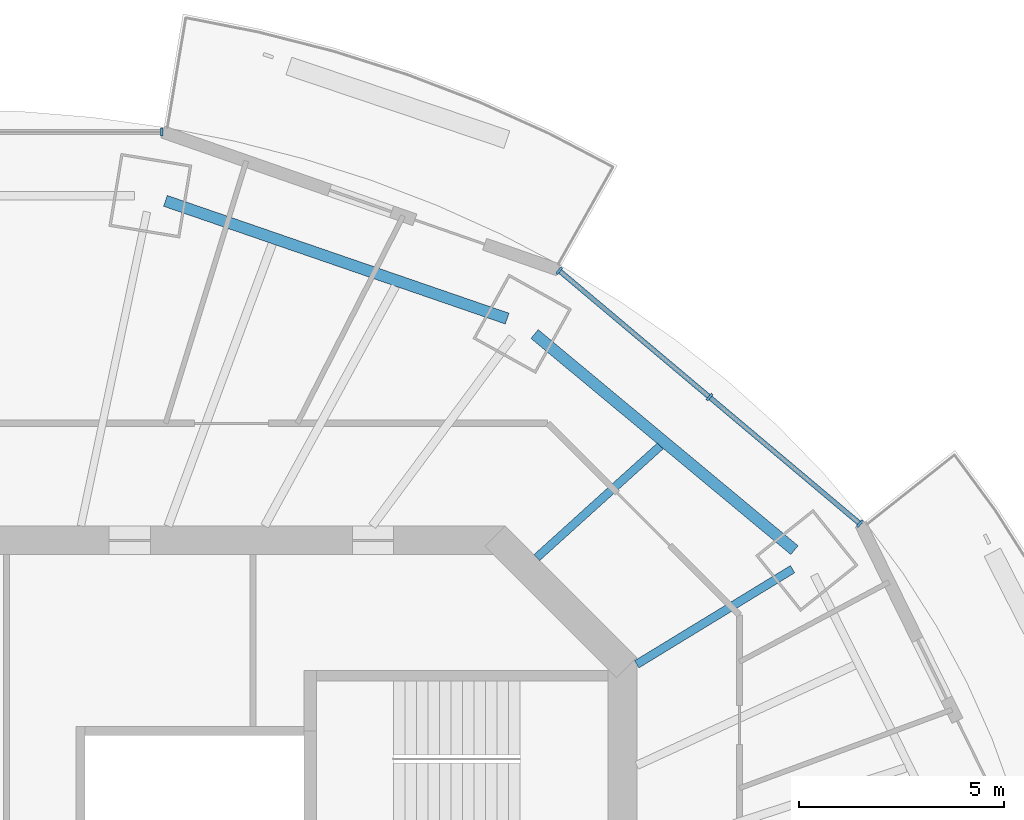
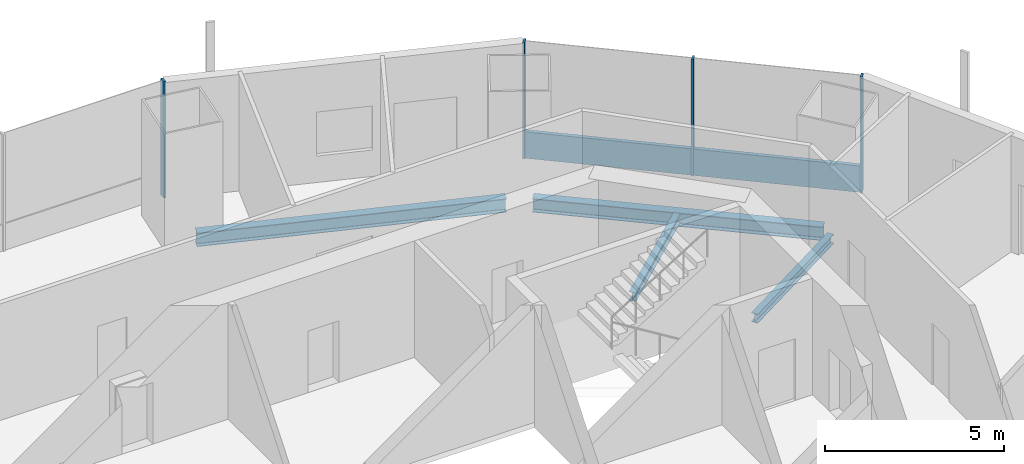
# One storey, part 6 of 16: 5 members, 4 beams, 2 elements without a shape of their own.
"""IFC4 building model written with IfcOpenShell, lengths in metres."""

import ifcopenshell
import ifcopenshell.guid

model = None  # the IFC model being written
_history = None  # IfcOwnerHistory: only IFC2X3 demands one
_inside = {}  # id of a spatial element -> (the spatial element, [elements in it])
_under = {}  # id of a project, library or spatial element -> (it, [spatial elements below it])
_declared = {}  # id of a project -> (the project, [libraries it declares])
_typed = {}  # id of a type object -> (the type object, [elements of that type])
_made_of = {}  # id of a material, layer set ... -> (it, [elements and type objects made of it])


def new_model(schema):
    """Start an empty IFC model of exactly this schema.

    Asked for "IFC4X3", IfcOpenShell would pick the latest addendum, in which some entities
    have other attributes; the version numbers below select the first issue.
    IFC2X3 requires an IfcOwnerHistory on every rooted entity: one is made here for all.
    """
    global model, _history
    if schema == "IFC4X3":
        model = ifcopenshell.file(schema_version=(4, 3, 0, 0))
    else:
        model = ifcopenshell.file(schema=schema)
    _inside.clear()
    _under.clear()
    _declared.clear()
    _typed.clear()
    _made_of.clear()
    _history = None
    if model.schema == "IFC2X3":
        org = make("IfcOrganization", Name="unknown")
        user = make(
            "IfcPersonAndOrganization",
            ThePerson=make("IfcPerson", FamilyName="unknown"),
            TheOrganization=org,
        )
        app = make(
            "IfcApplication",
            ApplicationDeveloper=org,
            Version="unknown",
            ApplicationFullName="unknown",
            ApplicationIdentifier="unknown",
        )
        _history = make(
            "IfcOwnerHistory",
            OwningUser=user,
            OwningApplication=app,
            ChangeAction="ADDED",
            CreationDate=0,
        )
    return model


def make(cls, **values):
    """One entity of the class cls with the attributes given. An attribute that is None is left unset."""
    return model.create_entity(
        cls, **{name: value for name, value in values.items() if value is not None}
    )


def rooted(cls, **values):
    """An entity with a GlobalId (a new one), such as an element, a storey or a relation."""
    return make(cls, GlobalId=ifcopenshell.guid.new(), OwnerHistory=_history, **values)


def si_unit(unit_type, name, prefix=None):
    """IfcSIUnit, for example si_unit("LENGTHUNIT", "METRE", prefix="MILLI")."""
    return make("IfcSIUnit", UnitType=unit_type, Prefix=prefix, Name=name)


def assignment(units):
    """IfcUnitAssignment: the units of a project."""
    return None if units is None else make("IfcUnitAssignment", Units=units)


def point(xyz):
    """IfcCartesianPoint."""
    return None if xyz is None else make("IfcCartesianPoint", Coordinates=xyz)


def direction(xyz):
    """IfcDirection."""
    return None if xyz is None else make("IfcDirection", DirectionRatios=xyz)


def frame(location, z_axis=None, x_axis=None):
    """IfcAxis2Placement3D, a coordinate frame: its origin and axes. An axis left out is left unset."""
    return make(
        "IfcAxis2Placement3D",
        Location=point(location),
        Axis=direction(z_axis),
        RefDirection=direction(x_axis),
    )


def frame_2d(location, x_axis=None):
    """IfcAxis2Placement2D, a coordinate frame in the plane: its origin and x axis."""
    return make(
        "IfcAxis2Placement2D", Location=point(location), RefDirection=direction(x_axis)
    )


def origin():
    """The frame at (0, 0, 0) with its axes left unset."""
    return frame((0.0, 0.0, 0.0))


def origin_2d():
    """The frame at (0, 0) in the plane with its x axis left unset."""
    return frame_2d((0.0, 0.0))


def place(relative_to, where):
    """IfcLocalPlacement: puts the frame where relative to a parent placement (None: the world)."""
    return make(
        "IfcLocalPlacement", PlacementRelTo=relative_to, RelativePlacement=where
    )


def context(
    kind, dimensions, precision=None, world=None, true_north=None, identifier=None
):
    """IfcGeometricRepresentationContext, for example the 3D "Model" context."""
    return make(
        "IfcGeometricRepresentationContext",
        ContextIdentifier=identifier,
        ContextType=kind,
        CoordinateSpaceDimension=dimensions,
        Precision=precision,
        WorldCoordinateSystem=world,
        TrueNorth=true_north,
    )


def subcontext(parent, identifier, kind, view, scale=None):
    """IfcGeometricRepresentationSubContext, for example "Body" below "Model"."""
    return make(
        "IfcGeometricRepresentationSubContext",
        ContextIdentifier=identifier,
        ContextType=kind,
        ParentContext=parent,
        TargetScale=scale,
        TargetView=view,
    )


def project(units=None, contexts=None):
    """IfcProject with its units and contexts."""
    return rooted(
        "IfcProject",
        Name="project",
        RepresentationContexts=contexts,
        UnitsInContext=assignment(units),
    )


def spatial(cls, under=None, at=None, **own):
    """A site, building, storey or space (cls), placed at a placement, below another one or the project."""
    s = rooted(cls, ObjectPlacement=at, **own)
    if under is not None:
        _under.setdefault(under.id(), (under, []))[1].append(s)
    return s


def profile(cls, at=None, kind="AREA", **sizes):
    """A parametric profile (cls). Its sizes go by their IFC names, for example OverallWidth=200.0."""
    return make(cls, ProfileType=kind, Position=at, **sizes)


def rectangle(**sizes):
    """IfcRectangleProfileDef."""
    return profile("IfcRectangleProfileDef", **sizes)


def i_section(**sizes):
    """IfcIShapeProfileDef."""
    return profile("IfcIShapeProfileDef", **sizes)


def extrude(swept, where, along, depth):
    """IfcExtrudedAreaSolid: the profile swept, set in the frame where, extruded along a direction by depth."""
    return make(
        "IfcExtrudedAreaSolid",
        SweptArea=swept,
        Position=where,
        ExtrudedDirection=direction(along),
        Depth=depth,
    )


def shape(context_of_items, identifier, shape_type, items):
    """IfcShapeRepresentation: the items that make up one representation, for example the "Body"."""
    return make(
        "IfcShapeRepresentation",
        ContextOfItems=context_of_items,
        RepresentationIdentifier=identifier,
        RepresentationType=shape_type,
        Items=items,
    )


def material(Name=None, Category=None):
    """IfcMaterial."""
    return make("IfcMaterial", Name=Name, Category=Category)


def material_profile(
    of_material, cross_section, Name=None, Category=None, Priority=None
):
    """IfcMaterialProfile: a cross section and its material."""
    return make(
        "IfcMaterialProfile",
        Name=Name,
        Material=of_material,
        Profile=cross_section,
        Priority=Priority,
        Category=Category,
    )


def profile_set(profiles, Name=None, composite=None):
    """IfcMaterialProfileSet."""
    return make(
        "IfcMaterialProfileSet",
        Name=Name,
        MaterialProfiles=profiles,
        CompositeProfile=composite,
    )


def made_of(thing, what):
    """Note that an element or type object is made of a material, layer set ...; save() writes the relation."""
    if what is not None:
        _made_of.setdefault(what.id(), (what, []))[1].append(thing)
    return thing


def type_object(cls, material=None, **own):
    """A type object (cls), such as IfcWallType, which elements share."""
    return made_of(rooted(cls, **own), material)


def element(
    cls,
    number,
    at=None,
    inside=None,
    cuts=None,
    type_object=None,
    material=None,
    context=None,
    identifier="Body",
    shape_type=None,
    held_by="IfcProductDefinitionShape",
    body=None,
    shapes=None,
    **own,
):
    """One element of the class cls, such as IfcWall. Its Tag is "e" and its number.

    at: its placement. inside: the storey or other place that contains it. cuts: it is an
    opening in that element (IfcRelVoidsElement). A single representation is given by context,
    identifier, shape_type and body (its items); several are given by shapes. held_by: the class
    of the entity that holds the representations. save() writes the other relations.
    """
    e = rooted(cls, Tag="e%d" % number, ObjectPlacement=at, **own)
    if body is not None:
        shapes = [shape(context, identifier, shape_type, body)]
    if shapes is not None:
        e.Representation = make(held_by, Representations=shapes)
    if inside is not None:
        _inside.setdefault(inside.id(), (inside, []))[1].append(e)
    if cuts is not None:
        rooted(
            "IfcRelVoidsElement", RelatingBuildingElement=cuts, RelatedOpeningElement=e
        )
    if type_object is not None:
        _typed.setdefault(type_object.id(), (type_object, []))[1].append(e)
    return made_of(e, material)


def aggregate(whole, parts):
    """IfcRelAggregates: a whole, such as a stair, and the parts it consists of."""
    return rooted("IfcRelAggregates", RelatingObject=whole, RelatedObjects=parts)


def save(model, path):
    """Write the relations noted so far, then the file.

    IfcRelAggregates (storeys below a building ...), IfcRelContainedInSpatialStructure (elements
    in a storey), IfcRelDefinesByType, IfcRelAssociatesMaterial and IfcRelDeclares: one each for
    every whole, place, type object, material and project.
    """
    for whole, parts in _under.values():
        aggregate(whole, parts)
    for where, things in _inside.values():
        rooted(
            "IfcRelContainedInSpatialStructure",
            RelatedElements=things,
            RelatingStructure=where,
        )
    for kind, things in _typed.values():
        rooted("IfcRelDefinesByType", RelatedObjects=things, RelatingType=kind)
    for what, things in _made_of.values():
        rooted("IfcRelAssociatesMaterial", RelatedObjects=things, RelatingMaterial=what)
    for by, libraries in _declared.values():
        rooted("IfcRelDeclares", RelatingContext=by, RelatedDefinitions=libraries)
    model.write(path)


model = new_model("IFC4")

# Units and contexts
model_context = context("Model", 3, precision=1e-05, world=origin(), true_north=direction((0.0, 1.0)))
body_context = subcontext(model_context, "Body", "Model", "MODEL_VIEW")
ifc_project = project(units=[si_unit("LENGTHUNIT", "METRE"), si_unit("AREAUNIT", "SQUARE_METRE"), si_unit("VOLUMEUNIT", "CUBIC_METRE"), si_unit("PLANEANGLEUNIT", "RADIAN"), si_unit("MASSUNIT", "GRAM", prefix="KILO")], contexts=[model_context])

# Site, building, storey
site_placement = place(None, origin())
site = spatial("IfcSite", under=ifc_project, at=site_placement, CompositionType="ELEMENT")
building_placement = place(site_placement, origin())
building = spatial("IfcBuilding", under=site, at=building_placement, Name="Marenthal Gate Tower", CompositionType="ELEMENT")
storey_placement = place(building_placement, frame((0.0, 0.0, 350.89990234375)))
storey = spatial("IfcBuildingStorey", under=building, at=storey_placement, Name="L79", CompositionType="ELEMENT", Elevation=350.89990234375)

# Curtain wall, members
ifc_material_1 = material(Name="Aluminium and glass", Category="aluminium")
curtain_wall_type = type_object("IfcCurtainWallType", Name="Curtain wall typical high", PredefinedType="NOTDEFINED", material=ifc_material_1)
curtain_wall_1_placement = place(storey_placement, origin())
curtain_wall_1 = element("IfcCurtainWall", 1, at=curtain_wall_1_placement, inside=storey, type_object=curtain_wall_type, Name="Curtain wall L79 bay 2", PredefinedType="NOTDEFINED")
ifc_material_2 = material(Name="Aluminium", Category="aluminium")
ifc_material_profile_1 = material_profile(ifc_material_2, rectangle(XDim=0.199951171875, YDim=0.06005859375, at=origin_2d()), Name="60x200 aluminium mullion")
ifc_profile_set_1 = profile_set([ifc_material_profile_1], Name="Aluminium")
member_type_1 = type_object("IfcMemberType", Name="Mullion 60x200 typical high", PredefinedType="MULLION", material=ifc_profile_set_1)
member_1_placement = place(storey_placement, frame((21.783203125, 13.40625, 0.0), z_axis=(0.0, 0.0, 1.0), x_axis=(-0.643895579249, -0.765113379195, 0.0)))
member_1 = element("IfcMember", 2, at=member_1_placement, type_object=member_type_1, Name="Mullion L79 bay 2.1", PredefinedType="MULLION", context=body_context, shape_type="SweptSolid", body=[
    extrude(rectangle(XDim=0.199951171875, YDim=0.06005859375, at=origin_2d()), origin(), (0.0, 0.0, 1.0), 3.97021484375),
])
member_2_placement = place(storey_placement, frame((18.121826171875, 16.487548828125, 0.0), z_axis=(0.0, 0.0, 1.0), x_axis=(-0.643895579249, -0.765113379195, 0.0)))
member_2 = element("IfcMember", 3, at=member_2_placement, type_object=member_type_1, Name="Mullion L79 bay 2.2", PredefinedType="MULLION", context=body_context, shape_type="SweptSolid", body=[
    extrude(rectangle(XDim=0.199951171875, YDim=0.06005859375, at=origin_2d()), origin(), (0.0, 0.0, 1.0), 3.97021484375),
])
member_3_placement = place(storey_placement, frame((14.46044921875, 19.56884765625, 0.0), z_axis=(0.0, 0.0, 1.0), x_axis=(-0.643895579249, -0.765113379195, 0.0)))
member_3 = element("IfcMember", 4, at=member_3_placement, type_object=member_type_1, Name="Mullion L79 bay 2.3", PredefinedType="MULLION", context=body_context, shape_type="SweptSolid", body=[
    extrude(rectangle(XDim=0.199951171875, YDim=0.06005859375, at=origin_2d()), origin(), (0.0, 0.0, 1.0), 3.97021484375),
])

# Curtain wall, member
curtain_wall_2_placement = place(storey_placement, origin())
curtain_wall_2 = element("IfcCurtainWall", 5, at=curtain_wall_2_placement, inside=storey, type_object=curtain_wall_type, Name="Curtain wall L79 bay 4", PredefinedType="NOTDEFINED")
member_4_placement = place(storey_placement, frame((4.7802734375, 22.944091796875, 0.0), z_axis=(0.0, 0.0, 1.0), x_axis=(0.0, -1.0, 0.0)))
member_4 = element("IfcMember", 6, at=member_4_placement, type_object=member_type_1, Name="Mullion L79 bay 4.1", PredefinedType="MULLION", context=body_context, shape_type="SweptSolid", body=[
    extrude(rectangle(XDim=0.199951171875, YDim=0.06005859375, at=origin_2d()), origin(), (0.0, 0.0, 1.0), 3.97021484375),
])
aggregate(curtain_wall_2, [member_4])

# Member
ifc_material_3 = material(Name="Aluminium", Category="aluminium")
ifc_material_profile_2 = material_profile(ifc_material_3, rectangle(XDim=0.1201171875, YDim=0.89990234375, at=origin_2d()), Name="120x900 aluminium transom")
ifc_profile_set_2 = profile_set([ifc_material_profile_2], Name="Aluminium")
member_type_2 = type_object("IfcMemberType", Name="Transom 120x900 typical high", PredefinedType="USERDEFINED", material=ifc_profile_set_2)
member_5_placement = place(storey_placement, frame((21.76025390625, 13.425537109375, 0.4501953125), z_axis=(-0.765110860749, 0.643898571798, 0.0), x_axis=(-0.643898571798, -0.765110860749, 0.0)))
member_5 = element("IfcMember", 7, at=member_5_placement, type_object=member_type_2, Name="Transom L79 bay 2", ObjectType="TRANSOM", PredefinedType="USERDEFINED", context=body_context, shape_type="SweptSolid", body=[
    extrude(rectangle(XDim=0.1201171875, YDim=0.89990234375, at=origin_2d()), origin(), (0.0, 0.0, 1.0), 9.5107421875),
])

aggregate(curtain_wall_1, [member_1, member_2, member_3, member_5])

# Beams
ifc_material_4 = material(Name="Steel S355", Category="steel")
ifc_material_profile_3 = material_profile(ifc_material_4, i_section(OverallWidth=0.202880859375, OverallDepth=0.302001953125, WebThickness=0.007568359375, FlangeThickness=0.01318359375, FilletRadius=0.0126953125, at=origin_2d()), Name="W310X60")
ifc_profile_set_3 = profile_set([ifc_material_profile_3], Name="Steel S355")
beam_type_1 = type_object("IfcBeamType", Name="W310X60 beam", PredefinedType="BEAM", material=ifc_profile_set_3)
beam_1_placement = place(storey_placement, frame((16.92138671875, 15.29736328125, -0.330810546875), z_axis=(-0.74178549283, -0.670637221326, 0.0), x_axis=(0.670637221326, -0.74178549283, 0.0)))
element("IfcBeam", 8, at=beam_1_placement, inside=storey, type_object=beam_type_1, Name="BM-L79-19", PredefinedType="BEAM", context=body_context, shape_type="SweptSolid", body=[
    extrude(i_section(OverallWidth=0.202880859375, OverallDepth=0.302001953125, WebThickness=0.007568359375, FlangeThickness=0.01318359375, FilletRadius=0.0126953125, at=origin_2d()), origin(), (0.0, 0.0, 1.0), 4.052490234375),
])
ifc_material_5 = material(Name="Steel S355", Category="steel")
ifc_material_profile_4 = material_profile(ifc_material_5, i_section(OverallWidth=0.205078125, OverallDepth=0.31005859375, WebThickness=0.009521484375, FlangeThickness=0.016357421875, FilletRadius=0.0126953125, at=origin_2d()), Name="W310X74")
ifc_profile_set_4 = profile_set([ifc_material_profile_4], Name="Steel S355")
beam_type_2 = type_object("IfcBeamType", Name="W310X74 beam", PredefinedType="BEAM", material=ifc_profile_set_4)
beam_2_placement = place(storey_placement, frame((20.14453125, 12.296875, -0.3349609375), z_axis=(-0.853547801009, -0.521014540482, 0.0), x_axis=(0.521014540482, -0.853547801009, 0.0)))
element("IfcBeam", 9, at=beam_2_placement, inside=storey, type_object=beam_type_2, Name="BM-L79-02", PredefinedType="BEAM", context=body_context, shape_type="SweptSolid", body=[
    extrude(i_section(OverallWidth=0.205078125, OverallDepth=0.31005859375, WebThickness=0.009521484375, FlangeThickness=0.016357421875, FilletRadius=0.0126953125, at=origin_2d()), origin(), (0.0, 0.0, 1.0), 4.445556640625),
])
ifc_material_6 = material(Name="Steel S355", Category="steel")
ifc_material_profile_5 = material_profile(ifc_material_6, i_section(OverallWidth=0.279052734375, OverallDepth=0.4619140625, WebThickness=0.0107421875, FlangeThickness=0.017333984375, FilletRadius=0.010009765625, at=origin_2d()), Name="W460X113")
ifc_profile_set_5 = profile_set([ifc_material_profile_5], Name="Steel S355")
beam_type_3 = type_object("IfcBeamType", Name="W460X113 beam", PredefinedType="BEAM", material=ifc_profile_set_5)
beam_3_placement = place(storey_placement, frame((20.190185546875, 12.760498046875, -0.410888671875), z_axis=(-0.768872300496, 0.639402365909, 0.0), x_axis=(-0.639402365909, -0.768872300496, 0.0)))
element("IfcBeam", 10, at=beam_3_placement, inside=storey, type_object=beam_type_3, Name="BM-L79-41", PredefinedType="BEAM", context=body_context, shape_type="SweptSolid", body=[
    extrude(i_section(OverallWidth=0.279052734375, OverallDepth=0.4619140625, WebThickness=0.0107421875, FlangeThickness=0.017333984375, FilletRadius=0.010009765625, at=origin_2d()), origin(), (0.0, 0.0, 1.0), 8.23291015625),
])
beam_4_placement = place(storey_placement, frame((13.1923828125, 18.40087890625, -0.410888671875), z_axis=(-0.945474604671, 0.325695827302, 0.0), x_axis=(-0.325695827302, -0.945474604671, 0.0)))
element("IfcBeam", 11, at=beam_4_placement, inside=storey, type_object=beam_type_3, Name="BM-L79-42", PredefinedType="BEAM", context=body_context, shape_type="SweptSolid", body=[
    extrude(i_section(OverallWidth=0.279052734375, OverallDepth=0.4619140625, WebThickness=0.0107421875, FlangeThickness=0.017333984375, FilletRadius=0.010009765625, at=origin_2d()), origin(), (0.0, 0.0, 1.0), 8.803955078125),
])

save(model, "model.ifc")
